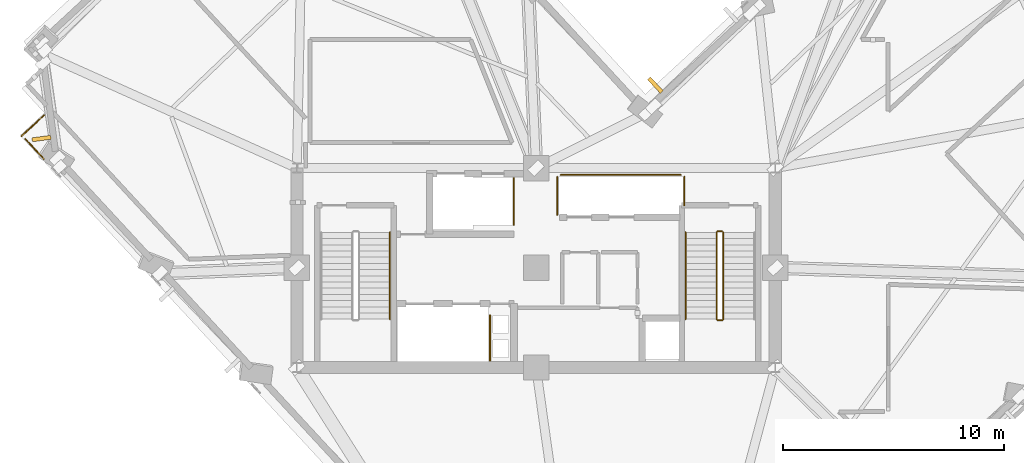
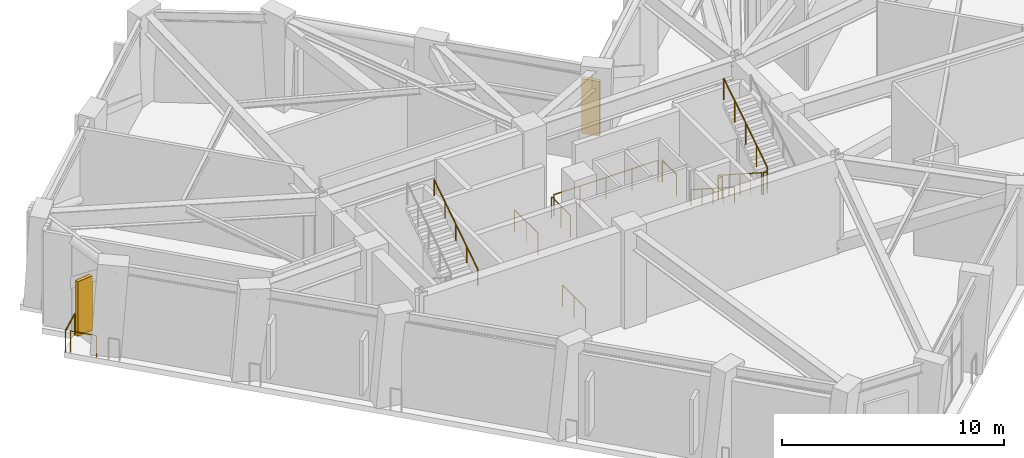
# One storey, part 12 of 15: 13 railings, 2 shading devices.
"""IFC4 building model written with IfcOpenShell, lengths in metres."""

import ifcopenshell
import ifcopenshell.guid

model = None  # the IFC model being written
_history = None  # IfcOwnerHistory: only IFC2X3 demands one
_inside = {}  # id of a spatial element -> (the spatial element, [elements in it])
_under = {}  # id of a project, library or spatial element -> (it, [spatial elements below it])
_declared = {}  # id of a project -> (the project, [libraries it declares])
_typed = {}  # id of a type object -> (the type object, [elements of that type])
_made_of = {}  # id of a material, layer set ... -> (it, [elements and type objects made of it])


def new_model(schema):
    """Start an empty IFC model of exactly this schema.

    Asked for "IFC4X3", IfcOpenShell would pick the latest addendum, in which some entities
    have other attributes; the version numbers below select the first issue.
    IFC2X3 requires an IfcOwnerHistory on every rooted entity: one is made here for all.
    """
    global model, _history
    if schema == "IFC4X3":
        model = ifcopenshell.file(schema_version=(4, 3, 0, 0))
    else:
        model = ifcopenshell.file(schema=schema)
    _inside.clear()
    _under.clear()
    _declared.clear()
    _typed.clear()
    _made_of.clear()
    _history = None
    if model.schema == "IFC2X3":
        org = make("IfcOrganization", Name="unknown")
        user = make(
            "IfcPersonAndOrganization",
            ThePerson=make("IfcPerson", FamilyName="unknown"),
            TheOrganization=org,
        )
        app = make(
            "IfcApplication",
            ApplicationDeveloper=org,
            Version="unknown",
            ApplicationFullName="unknown",
            ApplicationIdentifier="unknown",
        )
        _history = make(
            "IfcOwnerHistory",
            OwningUser=user,
            OwningApplication=app,
            ChangeAction="ADDED",
            CreationDate=0,
        )
    return model


def make(cls, **values):
    """One entity of the class cls with the attributes given. An attribute that is None is left unset."""
    return model.create_entity(
        cls, **{name: value for name, value in values.items() if value is not None}
    )


def rooted(cls, **values):
    """An entity with a GlobalId (a new one), such as an element, a storey or a relation."""
    return make(cls, GlobalId=ifcopenshell.guid.new(), OwnerHistory=_history, **values)


def si_unit(unit_type, name, prefix=None):
    """IfcSIUnit, for example si_unit("LENGTHUNIT", "METRE", prefix="MILLI")."""
    return make("IfcSIUnit", UnitType=unit_type, Prefix=prefix, Name=name)


def assignment(units):
    """IfcUnitAssignment: the units of a project."""
    return None if units is None else make("IfcUnitAssignment", Units=units)


def point(xyz):
    """IfcCartesianPoint."""
    return None if xyz is None else make("IfcCartesianPoint", Coordinates=xyz)


def direction(xyz):
    """IfcDirection."""
    return None if xyz is None else make("IfcDirection", DirectionRatios=xyz)


def frame(location, z_axis=None, x_axis=None):
    """IfcAxis2Placement3D, a coordinate frame: its origin and axes. An axis left out is left unset."""
    return make(
        "IfcAxis2Placement3D",
        Location=point(location),
        Axis=direction(z_axis),
        RefDirection=direction(x_axis),
    )


def frame_2d(location, x_axis=None):
    """IfcAxis2Placement2D, a coordinate frame in the plane: its origin and x axis."""
    return make(
        "IfcAxis2Placement2D", Location=point(location), RefDirection=direction(x_axis)
    )


def origin():
    """The frame at (0, 0, 0) with its axes left unset."""
    return frame((0.0, 0.0, 0.0))


def origin_2d():
    """The frame at (0, 0) in the plane with its x axis left unset."""
    return frame_2d((0.0, 0.0))


def place(relative_to, where):
    """IfcLocalPlacement: puts the frame where relative to a parent placement (None: the world)."""
    return make(
        "IfcLocalPlacement", PlacementRelTo=relative_to, RelativePlacement=where
    )


def context(
    kind, dimensions, precision=None, world=None, true_north=None, identifier=None
):
    """IfcGeometricRepresentationContext, for example the 3D "Model" context."""
    return make(
        "IfcGeometricRepresentationContext",
        ContextIdentifier=identifier,
        ContextType=kind,
        CoordinateSpaceDimension=dimensions,
        Precision=precision,
        WorldCoordinateSystem=world,
        TrueNorth=true_north,
    )


def subcontext(parent, identifier, kind, view, scale=None):
    """IfcGeometricRepresentationSubContext, for example "Body" below "Model"."""
    return make(
        "IfcGeometricRepresentationSubContext",
        ContextIdentifier=identifier,
        ContextType=kind,
        ParentContext=parent,
        TargetScale=scale,
        TargetView=view,
    )


def project(units=None, contexts=None):
    """IfcProject with its units and contexts."""
    return rooted(
        "IfcProject",
        Name="project",
        RepresentationContexts=contexts,
        UnitsInContext=assignment(units),
    )


def spatial(cls, under=None, at=None, **own):
    """A site, building, storey or space (cls), placed at a placement, below another one or the project."""
    s = rooted(cls, ObjectPlacement=at, **own)
    if under is not None:
        _under.setdefault(under.id(), (under, []))[1].append(s)
    return s


def profile(cls, at=None, kind="AREA", **sizes):
    """A parametric profile (cls). Its sizes go by their IFC names, for example OverallWidth=200.0."""
    return make(cls, ProfileType=kind, Position=at, **sizes)


def rectangle(**sizes):
    """IfcRectangleProfileDef."""
    return profile("IfcRectangleProfileDef", **sizes)


def circle(**sizes):
    """IfcCircleProfileDef."""
    return profile("IfcCircleProfileDef", **sizes)


def extrude(swept, where, along, depth):
    """IfcExtrudedAreaSolid: the profile swept, set in the frame where, extruded along a direction by depth."""
    return make(
        "IfcExtrudedAreaSolid",
        SweptArea=swept,
        Position=where,
        ExtrudedDirection=direction(along),
        Depth=depth,
    )


def shape(context_of_items, identifier, shape_type, items):
    """IfcShapeRepresentation: the items that make up one representation, for example the "Body"."""
    return make(
        "IfcShapeRepresentation",
        ContextOfItems=context_of_items,
        RepresentationIdentifier=identifier,
        RepresentationType=shape_type,
        Items=items,
    )


def material(Name=None, Category=None):
    """IfcMaterial."""
    return make("IfcMaterial", Name=Name, Category=Category)


def layer(
    of_material, thickness, ventilated=None, Name=None, Category=None, Priority=None
):
    """IfcMaterialLayer: one layer of a wall or slab, of a material (None: an air gap)."""
    return make(
        "IfcMaterialLayer",
        Material=of_material,
        LayerThickness=thickness,
        IsVentilated=ventilated,
        Name=Name,
        Category=Category,
        Priority=Priority,
    )


def layer_set(layers, Name=None):
    """IfcMaterialLayerSet."""
    return make("IfcMaterialLayerSet", MaterialLayers=layers, LayerSetName=Name)


def made_of(thing, what):
    """Note that an element or type object is made of a material, layer set ...; save() writes the relation."""
    if what is not None:
        _made_of.setdefault(what.id(), (what, []))[1].append(thing)
    return thing


def type_object(cls, material=None, **own):
    """A type object (cls), such as IfcWallType, which elements share."""
    return made_of(rooted(cls, **own), material)


def element(
    cls,
    number,
    at=None,
    inside=None,
    cuts=None,
    type_object=None,
    material=None,
    context=None,
    identifier="Body",
    shape_type=None,
    held_by="IfcProductDefinitionShape",
    body=None,
    shapes=None,
    **own,
):
    """One element of the class cls, such as IfcWall. Its Tag is "e" and its number.

    at: its placement. inside: the storey or other place that contains it. cuts: it is an
    opening in that element (IfcRelVoidsElement). A single representation is given by context,
    identifier, shape_type and body (its items); several are given by shapes. held_by: the class
    of the entity that holds the representations. save() writes the other relations.
    """
    e = rooted(cls, Tag="e%d" % number, ObjectPlacement=at, **own)
    if body is not None:
        shapes = [shape(context, identifier, shape_type, body)]
    if shapes is not None:
        e.Representation = make(held_by, Representations=shapes)
    if inside is not None:
        _inside.setdefault(inside.id(), (inside, []))[1].append(e)
    if cuts is not None:
        rooted(
            "IfcRelVoidsElement", RelatingBuildingElement=cuts, RelatedOpeningElement=e
        )
    if type_object is not None:
        _typed.setdefault(type_object.id(), (type_object, []))[1].append(e)
    return made_of(e, material)


def aggregate(whole, parts):
    """IfcRelAggregates: a whole, such as a stair, and the parts it consists of."""
    return rooted("IfcRelAggregates", RelatingObject=whole, RelatedObjects=parts)


def save(model, path):
    """Write the relations noted so far, then the file.

    IfcRelAggregates (storeys below a building ...), IfcRelContainedInSpatialStructure (elements
    in a storey), IfcRelDefinesByType, IfcRelAssociatesMaterial and IfcRelDeclares: one each for
    every whole, place, type object, material and project.
    """
    for whole, parts in _under.values():
        aggregate(whole, parts)
    for where, things in _inside.values():
        rooted(
            "IfcRelContainedInSpatialStructure",
            RelatedElements=things,
            RelatingStructure=where,
        )
    for kind, things in _typed.values():
        rooted("IfcRelDefinesByType", RelatedObjects=things, RelatingType=kind)
    for what, things in _made_of.values():
        rooted("IfcRelAssociatesMaterial", RelatedObjects=things, RelatingMaterial=what)
    for by, libraries in _declared.values():
        rooted("IfcRelDeclares", RelatingContext=by, RelatedDefinitions=libraries)
    model.write(path)


model = new_model("IFC4")

# Units and contexts
model_context = context("Model", 3, precision=1e-05, world=origin(), true_north=direction((0.0, 1.0)))
body_context = subcontext(model_context, "Body", "Model", "MODEL_VIEW")
ifc_project = project(units=[si_unit("LENGTHUNIT", "METRE"), si_unit("AREAUNIT", "SQUARE_METRE"), si_unit("VOLUMEUNIT", "CUBIC_METRE"), si_unit("PLANEANGLEUNIT", "RADIAN"), si_unit("MASSUNIT", "GRAM", prefix="KILO")], contexts=[model_context])

# Site, building, storey
site_placement = place(None, origin())
site = spatial("IfcSite", under=ifc_project, at=site_placement, CompositionType="ELEMENT")
building_placement = place(site_placement, origin())
building = spatial("IfcBuilding", under=site, at=building_placement, Name="Gaonmaruhae Medical Tower", CompositionType="ELEMENT")
storey_placement = place(building_placement, frame((0.0, 0.0, 205.800048828125)))
storey = spatial("IfcBuildingStorey", under=building, at=storey_placement, Name="L49", CompositionType="ELEMENT", Elevation=205.800048828125)

# Railings
ifc_material_1 = material(Name="Stainless steel 316L and laminated safety glass", Category="steel")
ifc_layer = layer(ifc_material_1, 0.080078125)
ifc_layer_set = layer_set([ifc_layer], Name="Stainless steel 316L and laminated safety glass")
railing_type_1 = type_object("IfcRailingType", Name="GD-120 Outdoor Terrace Safety Glass & Steel Balustrade", PredefinedType="BALUSTRADE", material=ifc_layer_set)
railing_1_placement = place(storey_placement, frame((2.584716796875, 19.18505859375, 0.0)))
element("IfcRailing", 1, at=railing_1_placement, inside=storey, type_object=railing_type_1, Name="L49 Perimeter Slab Edge Safety Balustrade 17", PredefinedType="BALUSTRADE", context=body_context, shape_type="SweptSolid", body=[
    extrude(circle(Radius=0.02392578125, at=origin_2d()), frame((0.0, 0.0, 1.17578125), z_axis=(-0.734333038022, -0.678789355595, 0.0), x_axis=(0.678789355595, -0.734333038022, 0.0)), (0.0, 0.0, 1.0), 1.393310546875),
    extrude(circle(Radius=0.02099609375, at=origin_2d()), origin(), (0.0, 0.0, 1.0), 1.15185546875),
    extrude(circle(Radius=0.02099609375, at=origin_2d()), frame((-1.023193359375, -0.94580078125, 0.0)), (0.0, 0.0, 1.0), 1.15185546875),
])
railing_2_placement = place(storey_placement, frame((1.740234375, 18.11962890625, 0.0)))
element("IfcRailing", 2, at=railing_2_placement, inside=storey, type_object=railing_type_1, Name="L49 Perimeter Slab Edge Safety Balustrade 18", PredefinedType="BALUSTRADE", context=body_context, shape_type="SweptSolid", body=[
    extrude(circle(Radius=0.02392578125, at=origin_2d()), frame((0.0, 0.0, 1.17578125), z_axis=(0.678730819897, -0.734387141855, 0.0), x_axis=(0.734387141855, 0.678730819897, 0.0)), (0.0, 0.0, 1.0), 1.237060546875),
    extrude(circle(Radius=0.02099609375, at=origin_2d()), origin(), (0.0, 0.0, 1.0), 1.15185546875),
    extrude(circle(Radius=0.02099609375, at=origin_2d()), frame((0.839599609375, -0.908447265625, 0.0)), (0.0, 0.0, 1.0), 1.15185546875),
])
ifc_material_2 = material(Name="Stainless steel 304 handrail", Category="steel")
railing_type_2 = type_object("IfcRailingType", Name="HR-092 Continuous Stainless Steel Stair Handrail", PredefinedType="HANDRAIL", material=ifc_material_2)
railing_3_placement = place(storey_placement, frame((18.199951171875, 9.97998046875, 2.8798828125)))
element("IfcRailing", 3, at=railing_3_placement, inside=storey, type_object=railing_type_2, Name="L49 ST-01 stair handrail 2", PredefinedType="HANDRAIL", context=body_context, shape_type="SweptSolid", body=[
    extrude(circle(Radius=0.02392578125, at=origin_2d()), frame((0.0, 0.0, 0.8759765625), z_axis=(0.0, 0.841171666519, 0.540768182723), x_axis=(-1.0, 0.0, 0.0)), (0.0, 0.0, 1.0), 4.66015625),
    extrude(circle(Radius=0.02099609375, at=origin_2d()), origin(), (0.0, 0.0, 1.0), 0.851806640625),
    extrude(circle(Radius=0.02099609375, at=origin_2d()), frame((0.0, 0.97998046875, 0.6298828125)), (0.0, 0.0, 1.0), 0.851806640625),
    extrude(circle(Radius=0.02099609375, at=origin_2d()), frame((0.0, 1.9599609375, 1.260009765625)), (0.0, 0.0, 1.0), 0.851806640625),
    extrude(circle(Radius=0.02099609375, at=origin_2d()), frame((0.0, 2.93994140625, 1.89013671875)), (0.0, 0.0, 1.0), 0.851806640625),
    extrude(circle(Radius=0.02099609375, at=origin_2d()), frame((0.0, 3.919921875, 2.52001953125)), (0.0, 0.0, 1.0), 0.851806640625),
])
railing_4_placement = place(storey_placement, frame((31.550048828125, 13.89990234375, 0.179931640625)))
element("IfcRailing", 4, at=railing_4_placement, inside=storey, type_object=railing_type_2, Name="L49 ST-02 stair handrail 1", PredefinedType="HANDRAIL", context=body_context, shape_type="SweptSolid", body=[
    extrude(circle(Radius=0.02392578125, at=origin_2d()), frame((0.0, 0.0, 0.8759765625), z_axis=(0.0, -0.841171666519, 0.540768182723), x_axis=(1.0, 0.0, 0.0)), (0.0, 0.0, 1.0), 4.66015625),
    extrude(circle(Radius=0.02099609375, at=origin_2d()), origin(), (0.0, 0.0, 1.0), 0.851806640625),
    extrude(circle(Radius=0.02099609375, at=origin_2d()), frame((0.0, -0.97998046875, 0.6298828125)), (0.0, 0.0, 1.0), 0.851806640625),
    extrude(circle(Radius=0.02099609375, at=origin_2d()), frame((0.0, -1.9599609375, 1.260009765625)), (0.0, 0.0, 1.0), 0.851806640625),
    extrude(circle(Radius=0.02099609375, at=origin_2d()), frame((0.0, -2.93994140625, 1.89013671875)), (0.0, 0.0, 1.0), 0.851806640625),
    extrude(circle(Radius=0.02099609375, at=origin_2d()), frame((0.0, -3.919921875, 2.52001953125)), (0.0, 0.0, 1.0), 0.851806640625),
])

# Shading devices
ifc_material_3 = material(Name="Pigmented coral precast concrete C45/55", Category="concrete")
shading_device_type = type_object("IfcShadingDeviceType", Name="SD-FIN1 Tower Vertical Coral Precast Shading Fin", PredefinedType="USERDEFINED", material=ifc_material_3)
for number, where, z_axis, x_axis, name in (
    (5, (30.184814453125, 20.546630859375, 0.58251953125), (0.0, 0.0, 1.0), (0.734322509436, 0.678800745533, 0.0), "L49 Vertical Coral Precast Shading Fin EN03"),
    (6, (2.468505859375, 18.136474609375, 0.83251953125), (0.0, 0.0, 1.0), (-0.131079899104, 0.99137180717, 0.0), "L49 Vertical Coral Precast Shading Fin N03"),
):
    element("IfcShadingDevice", number, at=place(storey_placement, frame(where, z_axis=z_axis, x_axis=x_axis)), inside=storey, type_object=shading_device_type, Name=name, ObjectType="FIN", PredefinedType="USERDEFINED", context=body_context, shape_type="SweptSolid", body=[
        extrude(rectangle(XDim=0.179931640625, YDim=0.85009765625, at=origin_2d()), origin(), (0.0, 0.0, 1.0), 3.0),
    ])

# Railings
ifc_material_4 = material(Name="Stainless steel 304 balustrade", Category="steel")
railing_type_3 = type_object("IfcRailingType", Name="SG-112 Stair Well & Ramp Void Safety Balustrade", PredefinedType="BALUSTRADE", material=ifc_material_4)
railing_5_placement = place(storey_placement, frame((32.949951171875, 13.89990234375, 0.179931640625)))
element("IfcRailing", 7, at=railing_5_placement, inside=storey, type_object=railing_type_3, Name="L49 ST-02 stair guard 1", PredefinedType="BALUSTRADE", context=body_context, shape_type="SweptSolid", body=[
    extrude(circle(Radius=0.02392578125, at=origin_2d()), frame((0.0, 0.0, 1.17578125), z_axis=(0.0, -0.841171666519, 0.540768182723), x_axis=(1.0, 0.0, 0.0)), (0.0, 0.0, 1.0), 4.66015625),
    extrude(circle(Radius=0.02099609375, at=origin_2d()), origin(), (0.0, 0.0, 1.0), 1.15185546875),
    extrude(circle(Radius=0.02099609375, at=origin_2d()), frame((0.0, -0.97998046875, 0.6298828125)), (0.0, 0.0, 1.0), 1.15185546875),
    extrude(circle(Radius=0.02099609375, at=origin_2d()), frame((0.0, -1.9599609375, 1.260009765625)), (0.0, 0.0, 1.0), 1.15185546875),
    extrude(circle(Radius=0.02099609375, at=origin_2d()), frame((0.0, -2.93994140625, 1.89013671875)), (0.0, 0.0, 1.0), 1.15185546875),
    extrude(circle(Radius=0.02099609375, at=origin_2d()), frame((0.0, -3.919921875, 2.52001953125)), (0.0, 0.0, 1.0), 1.15185546875),
])
railing_6_placement = place(storey_placement, frame((33.0, 9.929931640625, 2.699951171875)))
element("IfcRailing", 8, at=railing_6_placement, inside=storey, type_object=railing_type_3, Name="L49 ST-02 stair guard 2", PredefinedType="BALUSTRADE", context=body_context, shape_type="SweptSolid", body=[
    extrude(circle(Radius=0.02392578125, at=origin_2d()), frame((0.0, 0.0, 1.17578125), z_axis=(1.0, 0.0, 0.0), x_axis=(0.0, 1.0, 0.0)), (0.0, 0.0, 1.0), 0.199951171875),
    extrude(circle(Radius=0.02099609375, at=origin_2d()), origin(), (0.0, 0.0, 1.0), 1.15185546875),
    extrude(circle(Radius=0.02099609375, at=origin_2d()), frame((0.199951171875, 0.0, 0.0)), (0.0, 0.0, 1.0), 1.15185546875),
])
railing_7_placement = place(storey_placement, frame((33.25, 9.97998046875, 2.8798828125)))
element("IfcRailing", 9, at=railing_7_placement, inside=storey, type_object=railing_type_3, Name="L49 ST-02 stair guard 3", PredefinedType="BALUSTRADE", context=body_context, shape_type="SweptSolid", body=[
    extrude(circle(Radius=0.02392578125, at=origin_2d()), frame((0.0, 0.0, 1.17578125), z_axis=(0.0, 0.841171666519, 0.540768182723), x_axis=(-1.0, 0.0, 0.0)), (0.0, 0.0, 1.0), 4.66015625),
    extrude(circle(Radius=0.02099609375, at=origin_2d()), origin(), (0.0, 0.0, 1.0), 1.15185546875),
    extrude(circle(Radius=0.02099609375, at=origin_2d()), frame((0.0, 0.97998046875, 0.6298828125)), (0.0, 0.0, 1.0), 1.15185546875),
    extrude(circle(Radius=0.02099609375, at=origin_2d()), frame((0.0, 1.9599609375, 1.260009765625)), (0.0, 0.0, 1.0), 1.15185546875),
    extrude(circle(Radius=0.02099609375, at=origin_2d()), frame((0.0, 2.93994140625, 1.89013671875)), (0.0, 0.0, 1.0), 1.15185546875),
    extrude(circle(Radius=0.02099609375, at=origin_2d()), frame((0.0, 3.919921875, 2.52001953125)), (0.0, 0.0, 1.0), 1.15185546875),
])
railing_8_placement = place(storey_placement, frame((33.0, 13.949951171875, 0.0)))
element("IfcRailing", 10, at=railing_8_placement, inside=storey, type_object=railing_type_3, Name="L49 ST-02 stair guard 4", PredefinedType="BALUSTRADE", context=body_context, shape_type="SweptSolid", body=[
    extrude(circle(Radius=0.02392578125, at=origin_2d()), frame((0.0, 0.0, 1.17578125), z_axis=(1.0, 0.0, 0.0), x_axis=(0.0, 1.0, 0.0)), (0.0, 0.0, 1.0), 0.199951171875),
    extrude(circle(Radius=0.02099609375, at=origin_2d()), origin(), (0.0, 0.0, 1.0), 1.15185546875),
    extrude(circle(Radius=0.02099609375, at=origin_2d()), frame((0.199951171875, 0.0, 0.0)), (0.0, 0.0, 1.0), 1.15185546875),
])
railing_9_placement = place(storey_placement, frame((22.719970703125, 10.159912109375, 0.0)))
element("IfcRailing", 11, at=railing_9_placement, inside=storey, type_object=railing_type_3, Name="L49 Shaft Edge Safety Guard 29", PredefinedType="BALUSTRADE", context=body_context, shape_type="SweptSolid", body=[
    extrude(circle(Radius=0.02392578125, at=origin_2d()), frame((0.0, 0.0, 1.17578125), z_axis=(0.0, -1.0, 0.0), x_axis=(1.0, 0.0, 0.0)), (0.0, 0.0, 1.0), 2.06494140625),
    extrude(circle(Radius=0.02099609375, at=origin_2d()), origin(), (0.0, 0.0, 1.0), 1.15185546875),
    extrude(circle(Radius=0.02099609375, at=origin_2d()), frame((0.0, -1.032470703125, 0.0)), (0.0, 0.0, 1.0), 1.15185546875),
    extrude(circle(Radius=0.02099609375, at=origin_2d()), frame((0.0, -2.06494140625, 0.0)), (0.0, 0.0, 1.0), 1.15185546875),
])
railing_10_placement = place(storey_placement, frame((23.794921875, 16.35498046875, 0.0)))
element("IfcRailing", 12, at=railing_10_placement, inside=storey, type_object=railing_type_3, Name="L49 Shaft Edge Safety Guard 30", PredefinedType="BALUSTRADE", context=body_context, shape_type="SweptSolid", body=[
    extrude(circle(Radius=0.02392578125, at=origin_2d()), frame((0.0, 0.0, 1.17578125), z_axis=(0.0, -1.0, 0.0), x_axis=(1.0, 0.0, 0.0)), (0.0, 0.0, 1.0), 2.10986328125),
    extrude(circle(Radius=0.02099609375, at=origin_2d()), origin(), (0.0, 0.0, 1.0), 1.15185546875),
    extrude(circle(Radius=0.02099609375, at=origin_2d()), frame((0.0, -1.054931640625, 0.0)), (0.0, 0.0, 1.0), 1.15185546875),
    extrude(circle(Radius=0.02099609375, at=origin_2d()), frame((0.0, -2.10986328125, 0.0)), (0.0, 0.0, 1.0), 1.15185546875),
])
railing_11_placement = place(storey_placement, frame((31.4951171875, 16.405029296875, 0.0)))
element("IfcRailing", 13, at=railing_11_placement, inside=storey, type_object=railing_type_3, Name="L49 Shaft Edge Safety Guard 31", PredefinedType="BALUSTRADE", context=body_context, shape_type="SweptSolid", body=[
    extrude(circle(Radius=0.02392578125, at=origin_2d()), frame((0.0, 0.0, 1.17578125), z_axis=(0.0, -1.0, 0.0), x_axis=(1.0, 0.0, 0.0)), (0.0, 0.0, 1.0), 1.284912109375),
    extrude(circle(Radius=0.02099609375, at=origin_2d()), origin(), (0.0, 0.0, 1.0), 1.15185546875),
    extrude(circle(Radius=0.02099609375, at=origin_2d()), frame((0.0, -1.284912109375, 0.0)), (0.0, 0.0, 1.0), 1.15185546875),
])
railing_12_placement = place(storey_placement, frame((25.7548828125, 14.695068359375, 0.0)))
element("IfcRailing", 14, at=railing_12_placement, inside=storey, type_object=railing_type_3, Name="L49 Shaft Edge Safety Guard 32", PredefinedType="BALUSTRADE", context=body_context, shape_type="SweptSolid", body=[
    extrude(circle(Radius=0.02392578125, at=origin_2d()), frame((0.0, 0.0, 1.17578125), z_axis=(0.0, 1.0, 0.0), x_axis=(-1.0, 0.0, 0.0)), (0.0, 0.0, 1.0), 1.7099609375),
    extrude(circle(Radius=0.02099609375, at=origin_2d()), origin(), (0.0, 0.0, 1.0), 1.15185546875),
    extrude(circle(Radius=0.02099609375, at=origin_2d()), frame((0.0, 0.85498046875, 0.0)), (0.0, 0.0, 1.0), 1.15185546875),
    extrude(circle(Radius=0.02099609375, at=origin_2d()), frame((0.0, 1.7099609375, 0.0)), (0.0, 0.0, 1.0), 1.15185546875),
])
railing_13_placement = place(storey_placement, frame((25.919921875, 16.4951171875, 0.0)))
element("IfcRailing", 15, at=railing_13_placement, inside=storey, type_object=railing_type_3, Name="L49 Shaft Edge Safety Guard 33", PredefinedType="BALUSTRADE", context=body_context, shape_type="SweptSolid", body=[
    extrude(circle(Radius=0.02392578125, at=origin_2d()), frame((0.0, 0.0, 1.17578125), z_axis=(1.0, 0.0, 0.0), x_axis=(0.0, 1.0, 0.0)), (0.0, 0.0, 1.0), 5.41015625),
    extrude(circle(Radius=0.02099609375, at=origin_2d()), origin(), (0.0, 0.0, 1.0), 1.15185546875),
    extrude(circle(Radius=0.02099609375, at=origin_2d()), frame((1.3525390625, 0.0, 0.0)), (0.0, 0.0, 1.0), 1.15185546875),
    extrude(circle(Radius=0.02099609375, at=origin_2d()), frame((2.705078125, 0.0, 0.0)), (0.0, 0.0, 1.0), 1.15185546875),
    extrude(circle(Radius=0.02099609375, at=origin_2d()), frame((4.0576171875, 0.0, 0.0)), (0.0, 0.0, 1.0), 1.15185546875),
    extrude(circle(Radius=0.02099609375, at=origin_2d()), frame((5.41015625, 0.0, 0.0)), (0.0, 0.0, 1.0), 1.15185546875),
])

save(model, "model.ifc")
